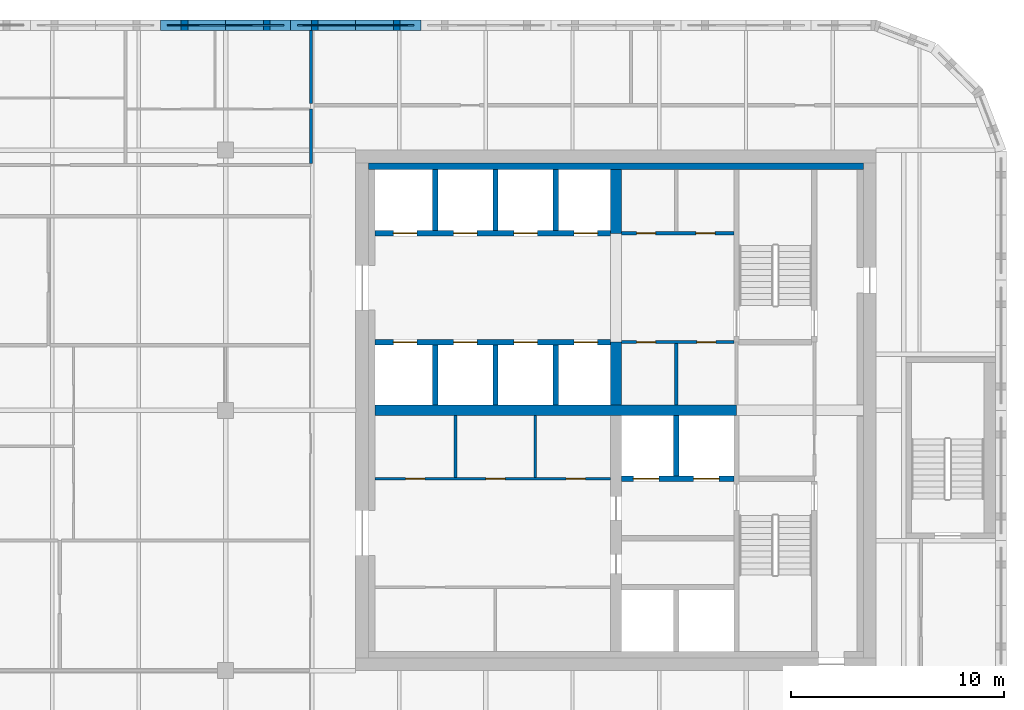
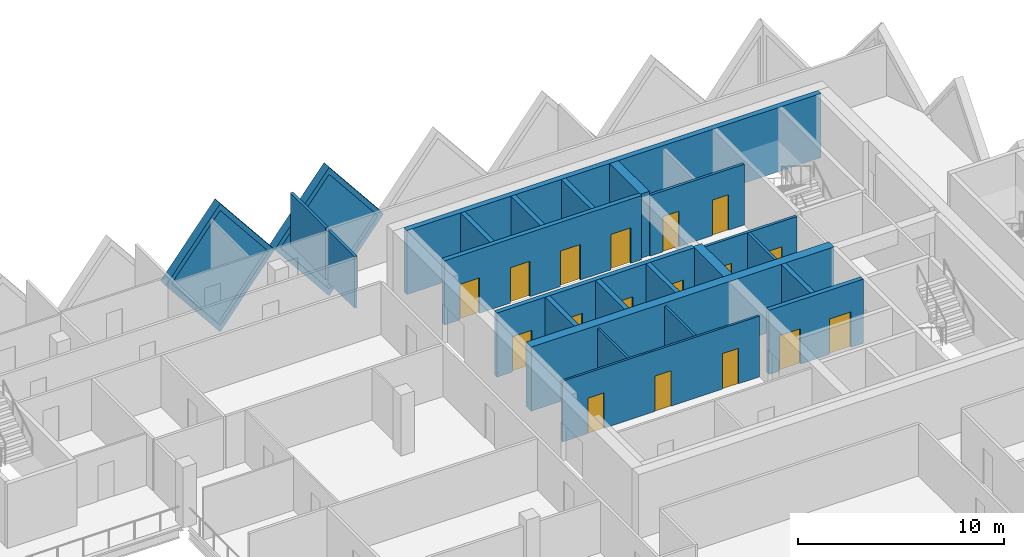
# One storey, part 8 of 11: 24 walls, 17 doors, 2 plates, 19 openings.
"""IFC4 building model written with IfcOpenShell, lengths in metres."""

from ifc_helpers import new_model, si_unit, direction, frame, frame_2d, origin, place, context, subcontext, project, spatial, polyline, rectangle, outline, extrude, faceted_brep, source, transform, mapped, material, layer, layer_set, type_object, element, fill, save


model = new_model("IFC4")

# Units and contexts
model_context = context("Model", 3, precision=1e-05, world=origin(), true_north=direction((0.0, 1.0)))
body_context = subcontext(model_context, "Body", "Model", "MODEL_VIEW")
ifc_project = project(units=[si_unit("LENGTHUNIT", "METRE"), si_unit("AREAUNIT", "SQUARE_METRE"), si_unit("VOLUMEUNIT", "CUBIC_METRE"), si_unit("PLANEANGLEUNIT", "RADIAN"), si_unit("MASSUNIT", "GRAM", prefix="KILO")], contexts=[model_context])

# Site, building, storey
site_placement = place(None, origin())
site = spatial("IfcSite", under=ifc_project, at=site_placement, CompositionType="ELEMENT")
building_placement = place(site_placement, origin())
building = spatial("IfcBuilding", under=site, at=building_placement, Name="Tessera Gate Towers", CompositionType="ELEMENT")
storey_placement = place(building_placement, frame((0.0, 0.0, 170.60009765625)))
storey = spatial("IfcBuildingStorey", under=building, at=storey_placement, Name="L42", CompositionType="ELEMENT", Elevation=170.60009765625)

# Wall, openings, doors
ifc_material_1 = material(Name="Concrete C40/50", Category="concrete")
ifc_layer_1 = layer(ifc_material_1, 0.25)
ifc_layer_set_1 = layer_set([ifc_layer_1], Name="CORE ENCLOSURE WALL 250")
wall_type_1 = type_object("IfcWallType", Name="CORE ENCLOSURE WALL 250", PredefinedType="SOLIDWALL", material=ifc_layer_set_1)
wall_1_placement = place(storey_placement, frame((31.39990234375, 39.800048828125, 0.0), z_axis=(0.0, 0.0, 1.0), x_axis=(1.0, 0.0, 0.0)))
wall_1 = element("IfcWall", 1, at=wall_1_placement, inside=storey, type_object=wall_type_1, Name="L42 shaft and stair enclosure wall", PredefinedType="SOLIDWALL", context=body_context, shape_type="SweptSolid", body=[
    extrude(rectangle(XDim=11.050048828125, YDim=0.25, at=frame_2d((5.52490234375, 0.0))), origin(), (0.0, 0.0, 1.0), 3.7998046875),
])
shared_shape_1 = source(origin(), body_context, "Body", "SweptSolid", [
    extrude(rectangle(XDim=1.10009765625, YDim=2.10009765625, at=frame_2d((0.550048828125, 1.050048828125))), frame((0.0, 0.135009765625, 0.0), z_axis=(0.0, -1.0, 0.0), x_axis=(1.0, 0.0, 0.0)), (0.0, 0.0, 1.0), 0.27001953125),
])
opening_1_placement = place(wall_1_placement, frame((0.862548828125, 0.0, 0.0)))
opening_1 = element("IfcOpeningElement", 2, at=opening_1_placement, cuts=wall_1, Name="Opening LD-HR1", PredefinedType="OPENING", context=body_context, shape_type="MappedRepresentation", body=[
    mapped(shared_shape_1, transform((0.0, 0.0, 0.0), scale=1.0)),
])
opening_2_placement = place(wall_1_placement, frame((3.6875, 0.0, 0.0)))
opening_2 = element("IfcOpeningElement", 3, at=opening_2_placement, cuts=wall_1, Name="Opening LD-HR2", PredefinedType="OPENING", context=body_context, shape_type="MappedRepresentation", body=[
    mapped(shared_shape_1, transform((0.0, 0.0, 0.0), scale=1.0)),
])
opening_3_placement = place(wall_1_placement, frame((6.512451171875, 0.0, 0.0)))
opening_3 = element("IfcOpeningElement", 4, at=opening_3_placement, cuts=wall_1, Name="Opening LD-HR3", PredefinedType="OPENING", context=body_context, shape_type="MappedRepresentation", body=[
    mapped(shared_shape_1, transform((0.0, 0.0, 0.0), scale=1.0)),
])
opening_4_placement = place(wall_1_placement, frame((9.33740234375, 0.0, 0.0)))
opening_4 = element("IfcOpeningElement", 5, at=opening_4_placement, cuts=wall_1, Name="Opening LD-HR4", PredefinedType="OPENING", context=body_context, shape_type="MappedRepresentation", body=[
    mapped(shared_shape_1, transform((0.0, 0.0, 0.0), scale=1.0)),
])
ifc_material_2 = material(Name="Stainless steel", Category="steel")
door_type_1 = type_object("IfcDoorType", Name="CORE DOOR LD 1100x2100", OperationType="DOUBLE_DOOR_SLIDING", PredefinedType="DOOR", material=ifc_material_2)
shared_shape_2 = source(origin(), body_context, "Body", "SweptSolid", [
    extrude(rectangle(XDim=1.10009765625, YDim=2.10009765625, at=frame_2d((0.550048828125, 1.050048828125))), frame((0.0, 0.02490234375, 0.0), z_axis=(0.0, -1.0, 0.0), x_axis=(1.0, 0.0, 0.0)), (0.0, 0.0, 1.0), 0.050048828125),
])
door_1_placement = place(opening_1_placement, origin())
door_1 = element("IfcDoor", 6, at=door_1_placement, inside=storey, type_object=door_type_1, Name="Landing door HR1 L42", OperationType="DOUBLE_DOOR_SLIDING", OverallHeight=2.10009765625, OverallWidth=1.10009765625, PredefinedType="DOOR", context=body_context, shape_type="MappedRepresentation", body=[
    mapped(shared_shape_2, transform((0.0, 0.0, 0.0), scale=1.0)),
])
fill(opening_1, door_1)
door_2_placement = place(opening_2_placement, origin())
door_2 = element("IfcDoor", 7, at=door_2_placement, inside=storey, type_object=door_type_1, Name="Landing door HR2 L42", OperationType="DOUBLE_DOOR_SLIDING", OverallHeight=2.10009765625, OverallWidth=1.10009765625, PredefinedType="DOOR", context=body_context, shape_type="MappedRepresentation", body=[
    mapped(shared_shape_2, transform((0.0, 0.0, 0.0), scale=1.0)),
])
fill(opening_2, door_2)
door_3_placement = place(opening_3_placement, origin())
door_3 = element("IfcDoor", 8, at=door_3_placement, inside=storey, type_object=door_type_1, Name="Landing door HR3 L42", OperationType="DOUBLE_DOOR_SLIDING", OverallHeight=2.10009765625, OverallWidth=1.10009765625, PredefinedType="DOOR", context=body_context, shape_type="MappedRepresentation", body=[
    mapped(shared_shape_2, transform((0.0, 0.0, 0.0), scale=1.0)),
])
fill(opening_3, door_3)
door_4_placement = place(opening_4_placement, origin())
door_4 = element("IfcDoor", 9, at=door_4_placement, inside=storey, type_object=door_type_1, Name="Landing door HR4 L42", OperationType="DOUBLE_DOOR_SLIDING", OverallHeight=2.10009765625, OverallWidth=1.10009765625, PredefinedType="DOOR", context=body_context, shape_type="MappedRepresentation", body=[
    mapped(shared_shape_2, transform((0.0, 0.0, 0.0), scale=1.0)),
])
fill(opening_4, door_4)

wall_2_placement = place(storey_placement, frame((42.449951171875, 44.89990234375, 0.0), z_axis=(0.0, 0.0, 1.0), x_axis=(-1.0, 0.0, 0.0)))
wall_2 = element("IfcWall", 10, at=wall_2_placement, inside=storey, type_object=wall_type_1, Name="L42 shaft and stair enclosure wall", PredefinedType="SOLIDWALL", context=body_context, shape_type="SweptSolid", body=[
    extrude(rectangle(XDim=11.050048828125, YDim=0.25, at=frame_2d((5.52490234375, 0.0))), origin(), (0.0, 0.0, 1.0), 3.7998046875),
])
opening_5_placement = place(wall_2_placement, frame((9.08740234375, 0.0, 0.0)))
opening_5 = element("IfcOpeningElement", 11, at=opening_5_placement, cuts=wall_2, Name="Opening LD-HR5", PredefinedType="OPENING", context=body_context, shape_type="MappedRepresentation", body=[
    mapped(shared_shape_1, transform((0.0, 0.0, 0.0), scale=1.0)),
])
opening_6_placement = place(wall_2_placement, frame((6.262451171875, 0.0, 0.0)))
opening_6 = element("IfcOpeningElement", 12, at=opening_6_placement, cuts=wall_2, Name="Opening LD-HR6", PredefinedType="OPENING", context=body_context, shape_type="MappedRepresentation", body=[
    mapped(shared_shape_1, transform((0.0, 0.0, 0.0), scale=1.0)),
])
opening_7_placement = place(wall_2_placement, frame((3.4375, 0.0, 0.0)))
opening_7 = element("IfcOpeningElement", 13, at=opening_7_placement, cuts=wall_2, Name="Opening LD-HR7", PredefinedType="OPENING", context=body_context, shape_type="MappedRepresentation", body=[
    mapped(shared_shape_1, transform((0.0, 0.0, 0.0), scale=1.0)),
])
opening_8_placement = place(wall_2_placement, frame((0.612548828125, 0.0, 0.0)))
opening_8 = element("IfcOpeningElement", 14, at=opening_8_placement, cuts=wall_2, Name="Opening LD-HR8", PredefinedType="OPENING", context=body_context, shape_type="MappedRepresentation", body=[
    mapped(shared_shape_1, transform((0.0, 0.0, 0.0), scale=1.0)),
])
door_5_placement = place(opening_5_placement, origin())
door_5 = element("IfcDoor", 15, at=door_5_placement, inside=storey, type_object=door_type_1, Name="Landing door HR5 L42", OperationType="DOUBLE_DOOR_SLIDING", OverallHeight=2.10009765625, OverallWidth=1.10009765625, PredefinedType="DOOR", context=body_context, shape_type="MappedRepresentation", body=[
    mapped(shared_shape_2, transform((0.0, 0.0, 0.0), scale=1.0)),
])
fill(opening_5, door_5)
door_6_placement = place(opening_6_placement, origin())
door_6 = element("IfcDoor", 16, at=door_6_placement, inside=storey, type_object=door_type_1, Name="Landing door HR6 L42", OperationType="DOUBLE_DOOR_SLIDING", OverallHeight=2.10009765625, OverallWidth=1.10009765625, PredefinedType="DOOR", context=body_context, shape_type="MappedRepresentation", body=[
    mapped(shared_shape_2, transform((0.0, 0.0, 0.0), scale=1.0)),
])
fill(opening_6, door_6)
door_7_placement = place(opening_7_placement, origin())
door_7 = element("IfcDoor", 17, at=door_7_placement, inside=storey, type_object=door_type_1, Name="Landing door HR7 L42", OperationType="DOUBLE_DOOR_SLIDING", OverallHeight=2.10009765625, OverallWidth=1.10009765625, PredefinedType="DOOR", context=body_context, shape_type="MappedRepresentation", body=[
    mapped(shared_shape_2, transform((0.0, 0.0, 0.0), scale=1.0)),
])
fill(opening_7, door_7)
door_8_placement = place(opening_8_placement, origin())
door_8 = element("IfcDoor", 18, at=door_8_placement, inside=storey, type_object=door_type_1, Name="Landing door HR8 L42", OperationType="DOUBLE_DOOR_SLIDING", OverallHeight=2.10009765625, OverallWidth=1.10009765625, PredefinedType="DOOR", context=body_context, shape_type="MappedRepresentation", body=[
    mapped(shared_shape_2, transform((0.0, 0.0, 0.0), scale=1.0)),
])
fill(opening_8, door_8)

wall_3_placement = place(storey_placement, frame((48.22509765625, 33.39990234375, 0.0), z_axis=(0.0, 0.0, 1.0), x_axis=(-1.0, 0.0, 0.0)))
wall_3 = element("IfcWall", 19, at=wall_3_placement, inside=storey, type_object=wall_type_1, Name="L42 shaft and stair enclosure wall", PredefinedType="SOLIDWALL", context=body_context, shape_type="SweptSolid", body=[
    extrude(rectangle(XDim=5.275146484375, YDim=0.25, at=frame_2d((2.6376953125, 0.0))), origin(), (0.0, 0.0, 1.0), 3.7998046875),
])
shared_shape_3 = source(origin(), body_context, "Body", "SweptSolid", [
    extrude(rectangle(XDim=1.199951171875, YDim=2.10009765625, at=frame_2d((0.60009765625, 1.050048828125))), frame((0.0, 0.135009765625, 0.0), z_axis=(0.0, -1.0, 0.0), x_axis=(1.0, 0.0, 0.0)), (0.0, 0.0, 1.0), 0.27001953125),
])
opening_9_placement = place(wall_3_placement, frame((3.512451171875, 0.0, 0.0)))
opening_9 = element("IfcOpeningElement", 20, at=opening_9_placement, cuts=wall_3, Name="Opening LD-FF1", PredefinedType="OPENING", context=body_context, shape_type="MappedRepresentation", body=[
    mapped(shared_shape_3, transform((0.0, 0.0, 0.0), scale=1.0)),
])
opening_10_placement = place(wall_3_placement, frame((0.6875, 0.0, 0.0)))
opening_10 = element("IfcOpeningElement", 21, at=opening_10_placement, cuts=wall_3, Name="Opening LD-FF2", PredefinedType="OPENING", context=body_context, shape_type="MappedRepresentation", body=[
    mapped(shared_shape_3, transform((0.0, 0.0, 0.0), scale=1.0)),
])
ifc_material_3 = material(Name="Stainless steel", Category="steel")
door_type_2 = type_object("IfcDoorType", Name="CORE DOOR LD1200 1200x2100", OperationType="DOUBLE_DOOR_SLIDING", PredefinedType="DOOR", material=ifc_material_3)
shared_shape_4 = source(origin(), body_context, "Body", "SweptSolid", [
    extrude(rectangle(XDim=1.199951171875, YDim=2.10009765625, at=frame_2d((0.60009765625, 1.050048828125))), frame((0.0, 0.02490234375, 0.0), z_axis=(0.0, -1.0, 0.0), x_axis=(1.0, 0.0, 0.0)), (0.0, 0.0, 1.0), 0.050048828125),
])
door_9_placement = place(opening_9_placement, origin())
door_9 = element("IfcDoor", 22, at=door_9_placement, inside=storey, type_object=door_type_2, Name="Landing door FF1 L42", OperationType="DOUBLE_DOOR_SLIDING", OverallHeight=2.10009765625, OverallWidth=1.199951171875, PredefinedType="DOOR", context=body_context, shape_type="MappedRepresentation", body=[
    mapped(shared_shape_4, transform((0.0, 0.0, 0.0), scale=1.0)),
])
fill(opening_9, door_9)
door_10_placement = place(opening_10_placement, origin())
door_10 = element("IfcDoor", 23, at=door_10_placement, inside=storey, type_object=door_type_2, Name="Landing door FF2 L42", OperationType="DOUBLE_DOOR_SLIDING", OverallHeight=2.10009765625, OverallWidth=1.199951171875, PredefinedType="DOOR", context=body_context, shape_type="MappedRepresentation", body=[
    mapped(shared_shape_4, transform((0.0, 0.0, 0.0), scale=1.0)),
])
fill(opening_10, door_10)

# Walls
for number, where, z_axis, x_axis, name in (
    (24, (34.22509765625, 36.85009765625, 0.0), (0.0, 0.0, 1.0), (0.0, 1.0, 0.0), "L42 shaft and stair enclosure wall"),
    (25, (37.050048828125, 36.85009765625, 0.0), (0.0, 0.0, 1.0), (0.0, 1.0, 0.0), "L42 shaft and stair enclosure wall"),
    (26, (39.875, 36.85009765625, 0.0), (0.0, 0.0, 1.0), (0.0, 1.0, 0.0), "L42 shaft and stair enclosure wall"),
):
    element("IfcWall", number, at=place(storey_placement, frame(where, z_axis=z_axis, x_axis=x_axis)), inside=storey, type_object=wall_type_1, Name=name, PredefinedType="SOLIDWALL", context=body_context, shape_type="SweptSolid", body=[
        extrude(rectangle(XDim=2.824951171875, YDim=0.25, at=frame_2d((1.41259765625, 0.0))), origin(), (0.0, 0.0, 1.0), 3.7998046875),
    ])
wall_4_placement = place(storey_placement, frame((45.52490234375, 33.52490234375, 0.0), z_axis=(0.0, 0.0, 1.0), x_axis=(0.0, 1.0, 0.0)))
element("IfcWall", 27, at=wall_4_placement, inside=storey, type_object=wall_type_1, Name="L42 shaft and stair enclosure wall", PredefinedType="SOLIDWALL", context=body_context, shape_type="SweptSolid", body=[
    extrude(rectangle(XDim=2.8251953125, YDim=0.25, at=frame_2d((1.41259765625, 0.0))), origin(), (0.0, 0.0, 1.0), 3.7998046875),
])
for number, where, z_axis, x_axis, name in (
    (28, (34.22509765625, 45.02490234375, 0.0), (0.0, 0.0, 1.0), (0.0, 1.0, 0.0), "L42 shaft and stair enclosure wall"),
    (29, (37.050048828125, 45.02490234375, 0.0), (0.0, 0.0, 1.0), (0.0, 1.0, 0.0), "L42 shaft and stair enclosure wall"),
    (30, (39.875, 45.02490234375, 0.0), (0.0, 0.0, 1.0), (0.0, 1.0, 0.0), "L42 shaft and stair enclosure wall"),
):
    element("IfcWall", number, at=place(storey_placement, frame(where, z_axis=z_axis, x_axis=x_axis)), inside=storey, type_object=wall_type_1, Name=name, PredefinedType="SOLIDWALL", context=body_context, shape_type="SweptSolid", body=[
        extrude(rectangle(XDim=2.875, YDim=0.25, at=frame_2d((1.4375, 0.0))), origin(), (0.0, 0.0, 1.0), 3.7998046875),
    ])

# Wall, openings, doors
ifc_material_4 = material(Name="Gypsum board on steel studs", Category="steel")
ifc_layer_2 = layer(ifc_material_4, 0.1201171875)
ifc_layer_set_2 = layer_set([ifc_layer_2], Name="CORE PARTITION 120")
wall_type_2 = type_object("IfcWallType", Name="CORE PARTITION 120", PredefinedType="PARTITIONING", material=ifc_layer_set_2)
wall_5_placement = place(storey_placement, frame((31.39990234375, 33.39990234375, 0.0), z_axis=(0.0, 0.0, 1.0), x_axis=(1.0, 0.0, 0.0)))
wall_5 = element("IfcWall", 31, at=wall_5_placement, inside=storey, type_object=wall_type_2, Name="L42 core partition", PredefinedType="PARTITIONING", context=body_context, shape_type="SweptSolid", body=[
    extrude(rectangle(XDim=11.050048828125, YDim=0.1201171875, at=frame_2d((5.52490234375, 0.0))), origin(), (0.0, 0.0, 1.0), 3.599853515625),
])
shared_shape_5 = source(origin(), body_context, "Body", "SweptSolid", [
    extrude(rectangle(XDim=0.89990234375, YDim=2.10009765625, at=frame_2d((0.449951171875, 1.050048828125))), frame((0.0, 0.070068359375, 0.0), z_axis=(0.0, -1.0, 0.0), x_axis=(1.0, 0.0, 0.0)), (0.0, 0.0, 1.0), 0.14013671875),
])
opening_11_placement = place(wall_5_placement, frame((1.4375, 0.0, 0.0)))
opening_11 = element("IfcOpeningElement", 32, at=opening_11_placement, cuts=wall_5, Name="Opening RD-T1-27-09", PredefinedType="OPENING", context=body_context, shape_type="MappedRepresentation", body=[
    mapped(shared_shape_5, transform((0.0, 0.0, 0.0), scale=1.0)),
])
opening_12_placement = place(wall_5_placement, frame((5.199951171875, 0.0, 0.0)))
opening_12 = element("IfcOpeningElement", 33, at=opening_12_placement, cuts=wall_5, Name="Opening RD-T1-27-10", PredefinedType="OPENING", context=body_context, shape_type="MappedRepresentation", body=[
    mapped(shared_shape_5, transform((0.0, 0.0, 0.0), scale=1.0)),
])
opening_13_placement = place(wall_5_placement, frame((8.96240234375, 0.0, 0.0)))
opening_13 = element("IfcOpeningElement", 34, at=opening_13_placement, cuts=wall_5, Name="Opening RD-T1-27-11", PredefinedType="OPENING", context=body_context, shape_type="MappedRepresentation", body=[
    mapped(shared_shape_5, transform((0.0, 0.0, 0.0), scale=1.0)),
])
ifc_material_5 = material(Name="Hollow steel fire door", Category="steel")
door_type_3 = type_object("IfcDoorType", Name="CORE DOOR RD 900x2100", OperationType="NOTDEFINED", PredefinedType="DOOR", material=ifc_material_5)
shared_shape_6 = source(origin(), body_context, "Body", "SweptSolid", [
    extrude(rectangle(XDim=0.89990234375, YDim=2.10009765625, at=frame_2d((0.449951171875, 1.050048828125))), frame((0.0, 0.02490234375, 0.0), z_axis=(0.0, -1.0, 0.0), x_axis=(1.0, 0.0, 0.0)), (0.0, 0.0, 1.0), 0.050048828125),
])
door_11_placement = place(opening_11_placement, origin())
door_11 = element("IfcDoor", 35, at=door_11_placement, inside=storey, type_object=door_type_3, Name="Core room door", OperationType="SINGLE_SWING_LEFT", OverallHeight=2.10009765625, OverallWidth=0.89990234375, PredefinedType="DOOR", context=body_context, shape_type="MappedRepresentation", body=[
    mapped(shared_shape_6, transform((0.0, 0.0, 0.0), scale=1.0)),
])
fill(opening_11, door_11)
door_12_placement = place(opening_12_placement, origin())
door_12 = element("IfcDoor", 36, at=door_12_placement, inside=storey, type_object=door_type_3, Name="Core room door", OperationType="SINGLE_SWING_RIGHT", OverallHeight=2.10009765625, OverallWidth=0.89990234375, PredefinedType="DOOR", context=body_context, shape_type="MappedRepresentation", body=[
    mapped(shared_shape_6, transform((0.0, 0.0, 0.0), scale=1.0)),
])
fill(opening_12, door_12)
door_13_placement = place(opening_13_placement, origin())
door_13 = element("IfcDoor", 37, at=door_13_placement, inside=storey, type_object=door_type_3, Name="Core room door", OperationType="SINGLE_SWING_RIGHT", OverallHeight=2.10009765625, OverallWidth=0.89990234375, PredefinedType="DOOR", context=body_context, shape_type="MappedRepresentation", body=[
    mapped(shared_shape_6, transform((0.0, 0.0, 0.0), scale=1.0)),
])
fill(opening_13, door_13)

# Walls
for number, where, z_axis, x_axis, name in (
    (38, (35.175048828125, 33.4599609375, 0.0), (0.0, 0.0, 1.0), (0.0, 1.0, 0.0), "L42 core partition"),
    (39, (38.925048828125, 33.4599609375, 0.0), (0.0, 0.0, 1.0), (0.0, 1.0, 0.0), "L42 core partition"),
):
    element("IfcWall", number, at=place(storey_placement, frame(where, z_axis=z_axis, x_axis=x_axis)), inside=storey, type_object=wall_type_2, Name=name, PredefinedType="PARTITIONING", context=body_context, shape_type="SweptSolid", body=[
        extrude(rectangle(XDim=2.89013671875, YDim=0.1201171875, at=frame_2d((1.445068359375, 0.0))), origin(), (0.0, 0.0, 1.0), 3.599853515625),
    ])
ifc_material_6 = material(Name="Concrete C50/60", Category="concrete")
ifc_layer_3 = layer(ifc_material_6, 0.5)
ifc_layer_set_3 = layer_set([ifc_layer_3], Name="CORE SPINE WALL 500 C50/60")
wall_type_3 = type_object("IfcWallType", Name="CORE SPINE WALL 500 C50/60", PredefinedType="SHEAR", material=ifc_layer_set_3)
wall_6_placement = place(storey_placement, frame((31.39990234375, 36.60009765625, 0.0), z_axis=(0.0, 0.0, 1.0), x_axis=(1.0, 0.0, 0.0)))
element("IfcWall", 40, at=wall_6_placement, inside=storey, type_object=wall_type_3, Name="Core wall spine L42", PredefinedType="SHEAR", context=body_context, shape_type="SweptSolid", body=[
    extrude(rectangle(XDim=16.9501953125, YDim=0.5, at=frame_2d((8.47509765625, 0.0))), origin(), (0.0, 0.0, 1.0), 3.7998046875),
])
wall_7_placement = place(storey_placement, frame((42.699951171875, 36.85009765625, 0.0), z_axis=(0.0, 0.0, 1.0), x_axis=(0.0, 1.0, 0.0)))
element("IfcWall", 41, at=wall_7_placement, inside=storey, type_object=wall_type_3, Name="Core wall spine L42", PredefinedType="SHEAR", context=body_context, shape_type="SweptSolid", body=[
    extrude(rectangle(XDim=2.949951171875, YDim=0.5, at=frame_2d((1.47509765625, 0.0))), origin(), (0.0, 0.0, 1.0), 3.7998046875),
])
wall_8_placement = place(storey_placement, frame((42.699951171875, 44.89990234375, 0.0), z_axis=(0.0, 0.0, 1.0), x_axis=(0.0, 1.0, 0.0)))
element("IfcWall", 42, at=wall_8_placement, inside=storey, type_object=wall_type_3, Name="Core wall spine L42", PredefinedType="SHEAR", context=body_context, shape_type="SweptSolid", body=[
    extrude(rectangle(XDim=3.0, YDim=0.5, at=frame_2d((1.5, 0.0))), origin(), (0.0, 0.0, 1.0), 3.7998046875),
])
ifc_material_7 = material(Name="Concrete C50/60", Category="concrete")
ifc_layer_4 = layer(ifc_material_7, 0.300048828125)
ifc_layer_set_4 = layer_set([ifc_layer_4], Name="CORE WALL THICKENING 300")
wall_type_4 = type_object("IfcWallType", Name="CORE WALL THICKENING 300", PredefinedType="SOLIDWALL", material=ifc_layer_set_4)
wall_9_placement = place(storey_placement, frame((31.10009765625, 48.050048828125, 0.0), z_axis=(0.0, 0.0, 1.0), x_axis=(1.0, 0.0, 0.0)))
element("IfcWall", 43, at=wall_9_placement, inside=storey, type_object=wall_type_4, Name="Core wall thickening N L42", PredefinedType="SOLIDWALL", context=body_context, shape_type="SweptSolid", body=[
    extrude(rectangle(XDim=23.199951171875, YDim=0.300048828125, at=frame_2d((11.60009765625, 0.0))), origin(), (0.0, 0.0, 1.0), 3.7998046875),
])
ifc_material_8 = material(Name="Gypsum board on steel studs, mineral wool", Category="steel")
ifc_layer_5 = layer(ifc_material_8, 0.14990234375)
ifc_layer_set_5 = layer_set([ifc_layer_5], Name="CORRIDOR WALL 150")
wall_type_5 = type_object("IfcWallType", Name="CORRIDOR WALL 150", PredefinedType="PARTITIONING", material=ifc_layer_set_5)
wall_10_placement = place(storey_placement, frame((28.39990234375, 48.176025390625, 0.0), z_axis=(0.0, 0.0, 1.0), x_axis=(0.0, 1.0, 0.0)))
element("IfcWall", 44, at=wall_10_placement, inside=storey, type_object=wall_type_5, Name="T1-L42-PW-044", PredefinedType="PARTITIONING", context=body_context, shape_type="SweptSolid", body=[
    extrude(rectangle(XDim=2.549072265625, YDim=0.14990234375, at=frame_2d((1.2744140625, 0.0))), origin(), (0.0, 0.0, 1.0), 3.06689453125),
])

# Wall, openings, doors
ifc_material_9 = material(Name="Gypsum board on steel studs", Category="steel")
ifc_layer_6 = layer(ifc_material_9, 0.14990234375)
ifc_layer_set_6 = layer_set([ifc_layer_6], Name="SERVICE ROOM WALL 150")
wall_type_6 = type_object("IfcWallType", Name="SERVICE ROOM WALL 150", PredefinedType="PARTITIONING", material=ifc_layer_set_6)
wall_11_placement = place(storey_placement, frame((48.22509765625, 39.800048828125, 0.0), z_axis=(0.0, 0.0, 1.0), x_axis=(-1.0, 0.0, 0.0)))
wall_11 = element("IfcWall", 45, at=wall_11_placement, inside=storey, type_object=wall_type_6, Name="L42 service room wall", PredefinedType="PARTITIONING", context=body_context, shape_type="SweptSolid", body=[
    extrude(rectangle(XDim=5.275146484375, YDim=0.14990234375, at=frame_2d((2.6376953125, 0.0))), origin(), (0.0, 0.0, 1.0), 3.599853515625),
])
shared_shape_7 = source(origin(), body_context, "Body", "SweptSolid", [
    extrude(rectangle(XDim=0.89990234375, YDim=2.10009765625, at=frame_2d((0.449951171875, 1.050048828125))), frame((0.0, 0.0849609375, 0.0), z_axis=(0.0, -1.0, 0.0), x_axis=(1.0, 0.0, 0.0)), (0.0, 0.0, 1.0), 0.169921875),
])
opening_14_placement = place(wall_11_placement, frame((3.66259765625, 0.0, 0.0)))
opening_14 = element("IfcOpeningElement", 46, at=opening_14_placement, cuts=wall_11, Name="Opening RD-T1-27-13", PredefinedType="OPENING", context=body_context, shape_type="MappedRepresentation", body=[
    mapped(shared_shape_7, transform((0.0, 0.0, 0.0), scale=1.0)),
])
opening_15_placement = place(wall_11_placement, frame((0.83740234375, 0.0, 0.0)))
opening_15 = element("IfcOpeningElement", 47, at=opening_15_placement, cuts=wall_11, Name="Opening RD-T1-27-14", PredefinedType="OPENING", context=body_context, shape_type="MappedRepresentation", body=[
    mapped(shared_shape_7, transform((0.0, 0.0, 0.0), scale=1.0)),
])
door_14_placement = place(opening_14_placement, origin())
door_14 = element("IfcDoor", 48, at=door_14_placement, inside=storey, type_object=door_type_3, Name="Core room door", OperationType="SINGLE_SWING_RIGHT", OverallHeight=2.10009765625, OverallWidth=0.89990234375, PredefinedType="DOOR", context=body_context, shape_type="MappedRepresentation", body=[
    mapped(shared_shape_6, transform((0.0, 0.0, 0.0), scale=1.0)),
])
fill(opening_14, door_14)
door_15_placement = place(opening_15_placement, origin())
door_15 = element("IfcDoor", 49, at=door_15_placement, inside=storey, type_object=door_type_3, Name="Core room door", OperationType="SINGLE_SWING_LEFT", OverallHeight=2.10009765625, OverallWidth=0.89990234375, PredefinedType="DOOR", context=body_context, shape_type="MappedRepresentation", body=[
    mapped(shared_shape_6, transform((0.0, 0.0, 0.0), scale=1.0)),
])
fill(opening_15, door_15)

wall_12_placement = place(storey_placement, frame((42.949951171875, 44.89990234375, 0.0), z_axis=(0.0, 0.0, 1.0), x_axis=(1.0, 0.0, 0.0)))
wall_12 = element("IfcWall", 50, at=wall_12_placement, inside=storey, type_object=wall_type_6, Name="L42 service room wall", PredefinedType="PARTITIONING", context=body_context, shape_type="SweptSolid", body=[
    extrude(rectangle(XDim=5.275146484375, YDim=0.14990234375, at=frame_2d((2.6376953125, 0.0))), origin(), (0.0, 0.0, 1.0), 3.599853515625),
])
opening_16_placement = place(wall_12_placement, frame((0.71240234375, 0.0, 0.0)))
opening_16 = element("IfcOpeningElement", 51, at=opening_16_placement, cuts=wall_12, Name="Opening RD-T1-27-15", PredefinedType="OPENING", context=body_context, shape_type="MappedRepresentation", body=[
    mapped(shared_shape_7, transform((0.0, 0.0, 0.0), scale=1.0)),
])
opening_17_placement = place(wall_12_placement, frame((3.5, 0.0, 0.0)))
opening_17 = element("IfcOpeningElement", 52, at=opening_17_placement, cuts=wall_12, Name="Opening RD-T1-27-16", PredefinedType="OPENING", context=body_context, shape_type="MappedRepresentation", body=[
    mapped(shared_shape_7, transform((0.0, 0.0, 0.0), scale=1.0)),
])
door_16_placement = place(opening_16_placement, origin())
door_16 = element("IfcDoor", 53, at=door_16_placement, inside=storey, type_object=door_type_3, Name="Core room door", OperationType="SINGLE_SWING_LEFT", OverallHeight=2.10009765625, OverallWidth=0.89990234375, PredefinedType="DOOR", context=body_context, shape_type="MappedRepresentation", body=[
    mapped(shared_shape_6, transform((0.0, 0.0, 0.0), scale=1.0)),
])
fill(opening_16, door_16)
door_17_placement = place(opening_17_placement, origin())
door_17 = element("IfcDoor", 54, at=door_17_placement, inside=storey, type_object=door_type_3, Name="Core room door", OperationType="SINGLE_SWING_RIGHT", OverallHeight=2.10009765625, OverallWidth=0.89990234375, PredefinedType="DOOR", context=body_context, shape_type="MappedRepresentation", body=[
    mapped(shared_shape_6, transform((0.0, 0.0, 0.0), scale=1.0)),
])
fill(opening_17, door_17)

# Walls
wall_13_placement = place(storey_placement, frame((45.52490234375, 36.85009765625, 0.0), z_axis=(0.0, 0.0, 1.0), x_axis=(0.0, 1.0, 0.0)))
element("IfcWall", 55, at=wall_13_placement, inside=storey, type_object=wall_type_6, Name="L42 service room wall", PredefinedType="PARTITIONING", context=body_context, shape_type="SweptSolid", body=[
    extrude(rectangle(XDim=2.875, YDim=0.14990234375, at=frame_2d((1.4375, 0.0))), origin(), (0.0, 0.0, 1.0), 3.599853515625),
])
ifc_material_10 = material(Name="Gypsum board on steel studs, mineral wool", Category="steel")
ifc_layer_7 = layer(ifc_material_10, 0.14990234375)
ifc_layer_set_7 = layer_set([ifc_layer_7], Name="TENANCY WALL 150")
wall_type_7 = type_object("IfcWallType", Name="TENANCY WALL 150", PredefinedType="PARTITIONING", material=ifc_layer_set_7)
wall_14_placement = place(storey_placement, frame((28.39990234375, 50.97607421875, 0.0), z_axis=(0.0, 0.0, 1.0), x_axis=(0.0, 1.0, 0.0)))
element("IfcWall", 56, at=wall_14_placement, inside=storey, type_object=wall_type_7, Name="T1-L42-PW-048", PredefinedType="PARTITIONING", context=body_context, shape_type="SweptSolid", body=[
    extrude(rectangle(XDim=3.423828125, YDim=0.14990234375, at=frame_2d((1.7119140625, 0.0))), origin(), (0.0, 0.0, 1.0), 3.06689453125),
])

# Wall, opening, plate
ifc_material_11 = material(Name="Precast concrete C60/75 white", Category="concrete")
ifc_layer_8 = layer(ifc_material_11, 0.5)
ifc_layer_set_8 = layer_set([ifc_layer_8], Name="TS1 tessera")
wall_type_8 = type_object("IfcWallType", Name="TS1 tessera", PredefinedType="SOLIDWALL", material=ifc_layer_set_8)
shared_shape_8 = source(origin(), body_context, "Body", "Brep", [
    faceted_brep([(3.050048828125, -0.25, 0.0), (6.099853515625, -0.25, 3.7998046875), (6.099853515625, -0.25, 3.80029296875), (3.050048828125, -0.25, 7.599853515625), (0.0, -0.25, 3.800048828125), (0.0, 0.25, 3.800048828125), (3.050048828125, 0.25, 7.599853515625), (6.099853515625, 0.25, 3.80029296875), (6.099853515625, 0.25, 3.7998046875), (3.050048828125, 0.25, 0.0)], [[[0, 1, 2, 3, 4]], [[5, 6, 7, 8, 9]], [[9, 8, 1, 0]], [[7, 6, 3, 2]], [[6, 5, 4, 3]], [[5, 9, 0, 4]], [[1, 8, 7, 2]]]),
])
wall_15_placement = place(storey_placement, frame((27.449951171875, 54.64990234375, -3.800048828125), z_axis=(0.0, 0.0, 1.0), x_axis=(-1.0, 0.0, 0.0)))
wall_15 = element("IfcWall", 57, at=wall_15_placement, inside=storey, type_object=wall_type_8, Name="Precast tessera T1 TS1-0727", PredefinedType="SOLIDWALL", context=body_context, shape_type="MappedRepresentation", body=[
    mapped(shared_shape_8, transform((0.0, 0.0, 0.0), scale=1.0)),
])
shared_shape_9 = source(origin(), body_context, "Body", "SweptSolid", [
    extrude(outline(polyline([(3.050048828125, 0.3994140625), (5.779541015625, 3.800048828125), (3.050048828125, 7.200439453125), (0.320556640625, 3.800048828125), (3.050048828125, 0.3994140625)])), frame((0.0, 0.260009765625, 0.0), z_axis=(0.0, -1.0, 0.0), x_axis=(1.0, 0.0, 0.0)), (0.0, 0.0, 1.0), 0.52001953125),
])
opening_18_placement = place(wall_15_placement, origin())
opening_18 = element("IfcOpeningElement", 58, at=opening_18_placement, cuts=wall_15, Name="Opening T1-PL2-1481", PredefinedType="OPENING", context=body_context, shape_type="MappedRepresentation", body=[
    mapped(shared_shape_9, transform((0.0, 0.0, 0.0), scale=1.0)),
])
ifc_material_12 = material(Name="Low-e laminated glass", Category="glass")
ifc_layer_9 = layer(ifc_material_12, 0.06005859375)
ifc_layer_set_9 = layer_set([ifc_layer_9], Name="PL2 rhombic pane")
plate_type = type_object("IfcPlateType", Name="PL2 rhombic pane", PredefinedType="SHEET", material=ifc_layer_set_9)
shared_shape_10 = source(origin(), body_context, "Body", "SweptSolid", [
    extrude(outline(polyline([(3.050048828125, 0.3994140625), (5.779541015625, 3.800048828125), (3.050048828125, 7.200439453125), (0.320556640625, 3.800048828125), (3.050048828125, 0.3994140625)])), frame((0.0, 0.030029296875, 0.0), z_axis=(0.0, -1.0, 0.0), x_axis=(1.0, 0.0, 0.0)), (0.0, 0.0, 1.0), 0.06005859375),
])
plate_1_placement = place(opening_18_placement, origin())
plate_1 = element("IfcPlate", 59, at=plate_1_placement, inside=storey, type_object=plate_type, Name="Glass pane T1 PL2-1481", PredefinedType="SHEET", context=body_context, shape_type="MappedRepresentation", body=[
    mapped(shared_shape_10, transform((0.0, 0.0, 0.0), scale=1.0)),
])
fill(opening_18, plate_1)

shared_shape_11 = source(origin(), body_context, "Body", "SweptSolid", [
    extrude(outline(polyline([(3.050048828125, 0.0), (6.10009765625, 3.800048828125), (3.050048828125, 7.599853515625), (0.0, 3.800048828125), (3.050048828125, 0.0)])), frame((0.0, 0.25, 0.0), z_axis=(0.0, -1.0, 0.0), x_axis=(1.0, 0.0, 0.0)), (0.0, 0.0, 1.0), 0.5),
])
wall_16_placement = place(storey_placement, frame((33.550048828125, 54.64990234375, -3.800048828125), z_axis=(0.0, 0.0, 1.0), x_axis=(-1.0, 0.0, 0.0)))
wall_16 = element("IfcWall", 60, at=wall_16_placement, inside=storey, type_object=wall_type_8, Name="Precast tessera T1 TS1-0726", PredefinedType="SOLIDWALL", context=body_context, shape_type="MappedRepresentation", body=[
    mapped(shared_shape_11, transform((0.0, 0.0, 0.0), scale=1.0)),
])
opening_19_placement = place(wall_16_placement, origin())
opening_19 = element("IfcOpeningElement", 61, at=opening_19_placement, cuts=wall_16, Name="Opening T1-PL2-1480", PredefinedType="OPENING", context=body_context, shape_type="MappedRepresentation", body=[
    mapped(shared_shape_9, transform((0.0, 0.0, 0.0), scale=1.0)),
])
plate_2_placement = place(opening_19_placement, origin())
plate_2 = element("IfcPlate", 62, at=plate_2_placement, inside=storey, type_object=plate_type, Name="Glass pane T1 PL2-1480", PredefinedType="SHEET", context=body_context, shape_type="MappedRepresentation", body=[
    mapped(shared_shape_10, transform((0.0, 0.0, 0.0), scale=1.0)),
])
fill(opening_19, plate_2)

save(model, "model.ifc")
